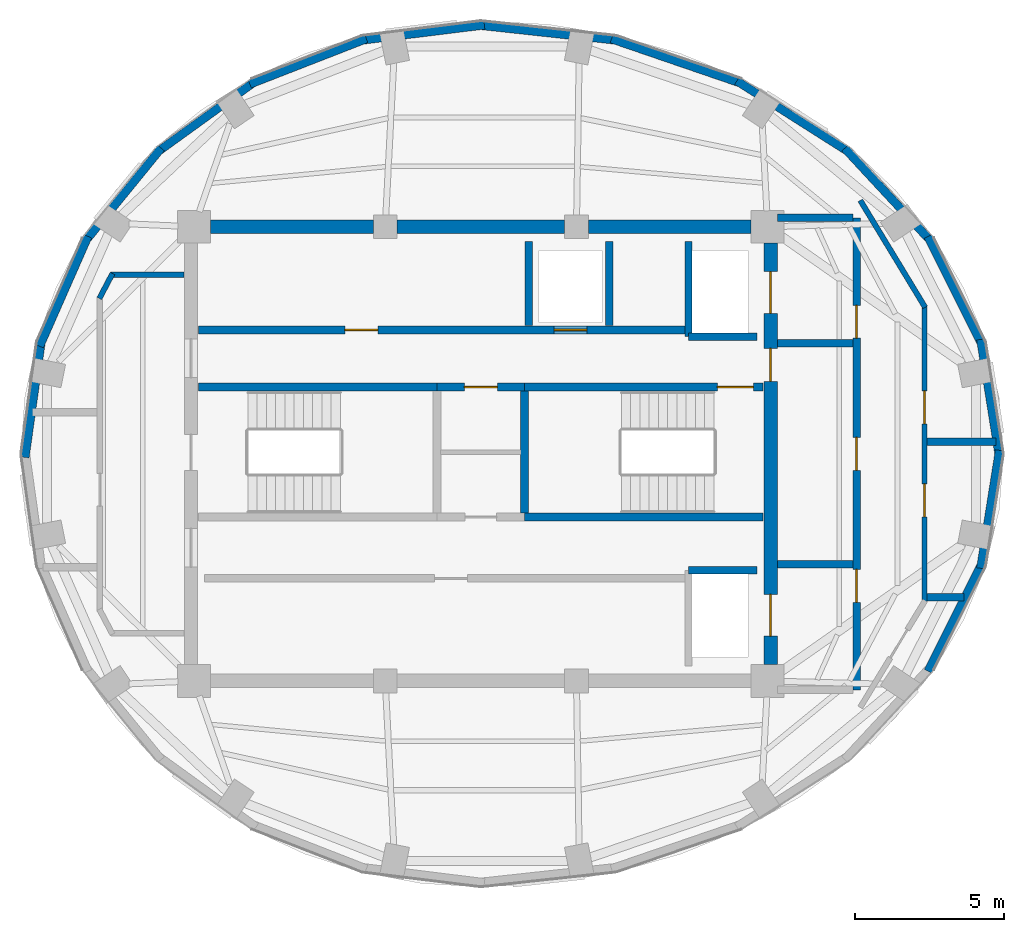
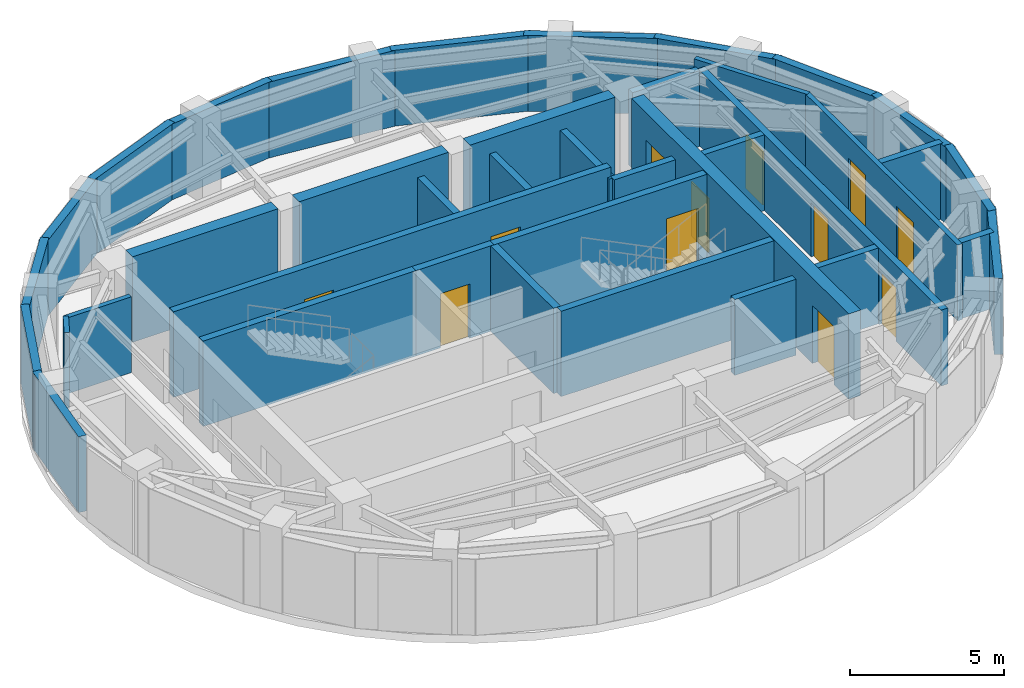
# One storey, part 3 of 5: 39 walls, 12 doors, 12 openings.
"""IFC4 building model written with IfcOpenShell, lengths in metres."""

from ifc_helpers import new_model, si_unit, direction, frame, frame_2d, origin, place, context, subcontext, project, spatial, rectangle, extrude, material, layer, layer_set, type_object, element, fill, save


model = new_model("IFC4")

# Units and contexts
model_context = context("Model", 3, precision=1e-05, world=origin(), true_north=direction((0.0, 1.0)))
body_context = subcontext(model_context, "Body", "Model", "MODEL_VIEW")
ifc_project = project(units=[si_unit("LENGTHUNIT", "METRE"), si_unit("AREAUNIT", "SQUARE_METRE"), si_unit("VOLUMEUNIT", "CUBIC_METRE"), si_unit("PLANEANGLEUNIT", "RADIAN"), si_unit("MASSUNIT", "GRAM", prefix="KILO")], contexts=[model_context])

# Site, building, storey
site_placement = place(None, origin())
site = spatial("IfcSite", under=ifc_project, at=site_placement, CompositionType="ELEMENT")
building_placement = place(site_placement, origin())
building = spatial("IfcBuilding", under=site, at=building_placement, Name="Lazwardi Medical Tower", CompositionType="ELEMENT")
storey_placement = place(building_placement, frame((0.0, 0.0, 312.612060546875)))
storey = spatial("IfcBuildingStorey", under=building, at=storey_placement, Name="L82", CompositionType="ELEMENT", Elevation=312.612060546875)

# Wall
ifc_material_1 = material(Name="Fire-rated gypsum board on steel stud", Category="steel")
ifc_layer_1 = layer(ifc_material_1, 0.179931640625)
ifc_layer_set_1 = layer_set([ifc_layer_1], Name="Fire-rated gypsum board on steel stud")
wall_type_1 = type_object("IfcWallType", Name="WL-COR-180", PredefinedType="PARTITIONING", material=ifc_layer_set_1)
wall_1_placement = place(storey_placement, frame((48.69921875, 36.484619140625, 0.0), z_axis=(0.0, 0.0, 1.0), x_axis=(0.518614420457, -0.855008235571, 0.0)))
element("IfcWall", 1, at=wall_1_placement, inside=storey, type_object=wall_type_1, Name="L82 Corridor partition 1", PredefinedType="PARTITIONING", context=body_context, shape_type="SweptSolid", body=[
    extrude(rectangle(XDim=4.18701171875, YDim=0.179931640625, at=frame_2d((2.093505859375, 0.0))), origin(), (0.0, 0.0, 1.0), 3.008056640625),
])

# Wall, openings, doors
wall_2_placement = place(storey_placement, frame((50.85009765625, 32.97900390625, 0.0), z_axis=(0.0, 0.0, 1.0), x_axis=(0.0, -1.0, 0.0)))
wall_2 = element("IfcWall", 2, at=wall_2_placement, inside=storey, type_object=wall_type_1, Name="L82 Corridor partition 2", PredefinedType="PARTITIONING", context=body_context, shape_type="SweptSolid", body=[
    extrude(rectangle(XDim=9.9580078125, YDim=0.179931640625, at=frame_2d((4.97900390625, 0.0))), origin(), (0.0, 0.0, 1.0), 3.008056640625),
])
opening_1_placement = place(wall_2_placement, frame((5.984619140625, 0.0, 0.0)))
opening_1 = element("IfcOpeningElement", 3, at=opening_1_placement, cuts=wall_2, Name="Opening D-L82-013", PredefinedType="OPENING", context=body_context, shape_type="SweptSolid", body=[
    extrude(rectangle(XDim=1.10009765625, YDim=2.14990234375, at=frame_2d((0.550048828125, 1.074951171875))), frame((0.0, 0.099853515625, 0.0), z_axis=(0.0, -1.0, 0.0), x_axis=(1.0, 0.0, 0.0)), (0.0, 0.0, 1.0), 0.199951171875),
])
opening_2_placement = place(wall_2_placement, frame((2.87353515625, 0.0, 0.0)))
opening_2 = element("IfcOpeningElement", 4, at=opening_2_placement, cuts=wall_2, Name="Opening D-L82-014", PredefinedType="OPENING", context=body_context, shape_type="SweptSolid", body=[
    extrude(rectangle(XDim=1.10009765625, YDim=2.14990234375, at=frame_2d((0.550048828125, 1.074951171875))), frame((0.0, 0.099853515625, 0.0), z_axis=(0.0, -1.0, 0.0), x_axis=(1.0, 0.0, 0.0)), (0.0, 0.0, 1.0), 0.199951171875),
])
ifc_material_2 = material(Name="Fire-rated steel leaf and frame", Category="steel")
door_type_1 = type_object("IfcDoorType", Name="DR-PLT-1100", OperationType="NOTDEFINED", PredefinedType="DOOR", material=ifc_material_2)
door_1_placement = place(opening_1_placement, origin())
door_1 = element("IfcDoor", 5, at=door_1_placement, inside=storey, type_object=door_type_1, Name="L82 Pump Room Door 03", OperationType="SINGLE_SWING_RIGHT", OverallHeight=2.14990234375, OverallWidth=1.10009765625, PredefinedType="DOOR", context=body_context, shape_type="SweptSolid", body=[
    extrude(rectangle(XDim=1.10009765625, YDim=2.14990234375, at=frame_2d((0.550048828125, 1.074951171875))), frame((0.0, 0.02490234375, 0.0), z_axis=(0.0, -1.0, 0.0), x_axis=(1.0, 0.0, 0.0)), (0.0, 0.0, 1.0), 0.050048828125),
])
fill(opening_1, door_1)
door_2_placement = place(opening_2_placement, origin())
door_2 = element("IfcDoor", 6, at=door_2_placement, inside=storey, type_object=door_type_1, Name="L82 Water Tank Room Door 04", OperationType="SINGLE_SWING_LEFT", OverallHeight=2.14990234375, OverallWidth=1.10009765625, PredefinedType="DOOR", context=body_context, shape_type="SweptSolid", body=[
    extrude(rectangle(XDim=1.10009765625, YDim=2.14990234375, at=frame_2d((0.550048828125, 1.074951171875))), frame((0.0, 0.02490234375, 0.0), z_axis=(0.0, -1.0, 0.0), x_axis=(1.0, 0.0, 0.0)), (0.0, 0.0, 1.0), 0.050048828125),
])
fill(opening_2, door_2)

# Walls
wall_3_placement = place(storey_placement, frame((23.231201171875, 33.19921875, 0.0), z_axis=(0.0, 0.0, 1.0), x_axis=(0.466427533163, 0.884559413667, 0.0)))
element("IfcWall", 7, at=wall_3_placement, inside=storey, type_object=wall_type_1, Name="L82 Corridor partition 7", PredefinedType="PARTITIONING", context=body_context, shape_type="SweptSolid", body=[
    extrude(rectangle(XDim=0.9453125, YDim=0.179931640625, at=frame_2d((0.47265625, 0.0))), origin(), (0.0, 0.0, 1.0), 3.008056640625),
])
wall_4_placement = place(storey_placement, frame((23.613525390625, 34.0, 0.0), z_axis=(0.0, 0.0, 1.0), x_axis=(1.0, 0.0, 0.0)))
element("IfcWall", 8, at=wall_4_placement, inside=storey, type_object=wall_type_1, Name="L82 Corridor partition 8", PredefinedType="PARTITIONING", context=body_context, shape_type="SweptSolid", body=[
    extrude(rectangle(XDim=2.446533203125, YDim=0.179931640625, at=frame_2d((1.22314453125, 0.0))), origin(), (0.0, 0.0, 1.0), 3.008056640625),
])

# Wall, openings, doors
ifc_material_3 = material(Name="Concrete C60/75", Category="concrete")
ifc_layer_2 = layer(ifc_material_3, 0.449951171875)
ifc_layer_set_2 = layer_set([ifc_layer_2], Name="Concrete C60/75")
wall_type_2 = type_object("IfcWallType", Name="WL-CORE-450", PredefinedType="SHEAR", material=ifc_layer_set_2)
wall_5_placement = place(storey_placement, frame((45.699951171875, 20.949951171875, 0.0), z_axis=(0.0, 0.0, 1.0), x_axis=(0.0, 1.0, 0.0)))
wall_5 = element("IfcWall", 9, at=wall_5_placement, inside=storey, type_object=wall_type_2, Name="Core wall CW-S4 east L82", PredefinedType="SHEAR", context=body_context, shape_type="SweptSolid", body=[
    extrude(rectangle(XDim=14.10009765625, YDim=0.449951171875, at=frame_2d((7.050048828125, 0.0))), origin(), (0.0, 0.0, 1.0), 3.387939453125),
])
opening_3_placement = place(wall_5_placement, frame((11.75, 0.0, 0.0)))
opening_3 = element("IfcOpeningElement", 10, at=opening_3_placement, cuts=wall_5, Name="Opening LD-L82-001", PredefinedType="OPENING", context=body_context, shape_type="SweptSolid", body=[
    extrude(rectangle(XDim=1.39990234375, YDim=2.300048828125, at=frame_2d((0.699951171875, 1.14990234375))), frame((0.0, 0.23486328125, 0.0), z_axis=(0.0, -1.0, 0.0), x_axis=(1.0, 0.0, 0.0)), (0.0, 0.0, 1.0), 0.469970703125),
])
opening_4_placement = place(wall_5_placement, frame((0.949951171875, 0.0, 0.0)))
opening_4 = element("IfcOpeningElement", 11, at=opening_4_placement, cuts=wall_5, Name="Opening LD-L82-002", PredefinedType="OPENING", context=body_context, shape_type="SweptSolid", body=[
    extrude(rectangle(XDim=1.39990234375, YDim=2.300048828125, at=frame_2d((0.699951171875, 1.14990234375))), frame((0.0, 0.23486328125, 0.0), z_axis=(0.0, -1.0, 0.0), x_axis=(1.0, 0.0, 0.0)), (0.0, 0.0, 1.0), 0.469970703125),
])
opening_5_placement = place(wall_5_placement, frame((9.47998046875, 0.0, 0.0)))
opening_5 = element("IfcOpeningElement", 12, at=opening_5_placement, cuts=wall_5, Name="Opening D-L82-006", PredefinedType="OPENING", context=body_context, shape_type="SweptSolid", body=[
    extrude(rectangle(XDim=1.10009765625, YDim=2.14990234375, at=frame_2d((0.550048828125, 1.074951171875))), frame((0.0, 0.23486328125, 0.0), z_axis=(0.0, -1.0, 0.0), x_axis=(1.0, 0.0, 0.0)), (0.0, 0.0, 1.0), 0.469970703125),
])
ifc_material_4 = material(Name="Brushed stainless steel bed-lift landing door", Category="steel")
door_type_2 = type_object("IfcDoorType", Name="DR-LFT-1400", OperationType="NOTDEFINED", PredefinedType="DOOR", material=ifc_material_4)
door_3_placement = place(opening_3_placement, origin())
door_3 = element("IfcDoor", 13, at=door_3_placement, inside=storey, type_object=door_type_2, Name="L82 Lift Landing Door FL-01", OperationType="SLIDING_TO_LEFT", OverallHeight=2.300048828125, OverallWidth=1.39990234375, PredefinedType="DOOR", context=body_context, shape_type="SweptSolid", body=[
    extrude(rectangle(XDim=1.39990234375, YDim=2.300048828125, at=frame_2d((0.699951171875, 1.14990234375))), frame((0.0, 0.02490234375, 0.0), z_axis=(0.0, -1.0, 0.0), x_axis=(1.0, 0.0, 0.0)), (0.0, 0.0, 1.0), 0.050048828125),
])
fill(opening_3, door_3)
door_4_placement = place(opening_4_placement, origin())
door_4 = element("IfcDoor", 14, at=door_4_placement, inside=storey, type_object=door_type_2, Name="L82 Lift Landing Door FL-02", OperationType="SLIDING_TO_LEFT", OverallHeight=2.300048828125, OverallWidth=1.39990234375, PredefinedType="DOOR", context=body_context, shape_type="SweptSolid", body=[
    extrude(rectangle(XDim=1.39990234375, YDim=2.300048828125, at=frame_2d((0.699951171875, 1.14990234375))), frame((0.0, 0.02490234375, 0.0), z_axis=(0.0, -1.0, 0.0), x_axis=(1.0, 0.0, 0.0)), (0.0, 0.0, 1.0), 0.050048828125),
])
fill(opening_4, door_4)
door_5_placement = place(opening_5_placement, origin())
door_5 = element("IfcDoor", 15, at=door_5_placement, inside=storey, type_object=door_type_1, Name="L82 Core Plant Lobby Transfer Door", OperationType="SINGLE_SWING_RIGHT", OverallHeight=2.14990234375, OverallWidth=1.10009765625, PredefinedType="DOOR", context=body_context, shape_type="SweptSolid", body=[
    extrude(rectangle(XDim=1.10009765625, YDim=2.14990234375, at=frame_2d((0.550048828125, 1.074951171875))), frame((0.0, 0.02490234375, 0.0), z_axis=(0.0, -1.0, 0.0), x_axis=(1.0, 0.0, 0.0)), (0.0, 0.0, 1.0), 0.050048828125),
])
fill(opening_5, door_5)

# Walls
wall_6_placement = place(storey_placement, frame((26.949951171875, 35.60009765625, 0.0), z_axis=(0.0, 0.0, 1.0), x_axis=(1.0, 0.0, 0.0)))
element("IfcWall", 16, at=wall_6_placement, inside=storey, type_object=wall_type_2, Name="Core wall CW-S4 N1 L82", PredefinedType="SHEAR", context=body_context, shape_type="SweptSolid", body=[
    extrude(rectangle(XDim=5.449951171875, YDim=0.449951171875, at=frame_2d((2.72509765625, 0.0))), origin(), (0.0, 0.0, 1.0), 3.387939453125),
])
wall_7_placement = place(storey_placement, frame((33.199951171875, 35.60009765625, 0.0), z_axis=(0.0, 0.0, 1.0), x_axis=(1.0, 0.0, 0.0)))
element("IfcWall", 17, at=wall_7_placement, inside=storey, type_object=wall_type_2, Name="Core wall CW-S4 N2 L82", PredefinedType="SHEAR", context=body_context, shape_type="SweptSolid", body=[
    extrude(rectangle(XDim=5.60009765625, YDim=0.449951171875, at=frame_2d((2.800048828125, 0.0))), origin(), (0.0, 0.0, 1.0), 3.387939453125),
])
wall_8_placement = place(storey_placement, frame((39.60009765625, 35.60009765625, 0.0), z_axis=(0.0, 0.0, 1.0), x_axis=(1.0, 0.0, 0.0)))
element("IfcWall", 18, at=wall_8_placement, inside=storey, type_object=wall_type_2, Name="Core wall CW-S4 N3 L82", PredefinedType="SHEAR", context=body_context, shape_type="SweptSolid", body=[
    extrude(rectangle(XDim=5.449951171875, YDim=0.449951171875, at=frame_2d((2.72509765625, 0.0))), origin(), (0.0, 0.0, 1.0), 3.387939453125),
])
ifc_material_5 = material(Name="Precast concrete C45/55", Category="concrete")
ifc_layer_3 = layer(ifc_material_5, 0.280029296875)
ifc_layer_set_3 = layer_set([ifc_layer_3], Name="Precast concrete C45/55")
wall_type_3 = type_object("IfcWallType", Name="WL-DRUM-280", PredefinedType="SOLIDWALL", material=ifc_layer_set_3)
wall_9_placement = place(storey_placement, frame((50.963134765625, 20.72265625, 0.0), z_axis=(0.0, 0.0, 1.0), x_axis=(0.447855311217, 0.894106045285, 0.0)))
element("IfcWall", 19, at=wall_9_placement, inside=storey, type_object=wall_type_3, Name="L82 Crown Plant Drum Wall 05", PredefinedType="SOLIDWALL", context=body_context, shape_type="SweptSolid", body=[
    extrude(rectangle(XDim=4.108154296875, YDim=0.280029296875, at=frame_2d((2.05419921875, 0.0))), origin(), (0.0, 0.0, 1.0), 3.008056640625),
])
for number, where, z_axis, x_axis, name in (
    (20, (52.730224609375, 24.169921875, 0.0), (0.0, 0.0, 1.0), (0.157235511094, 0.987561134336, 0.0), "L82 Crown Plant Drum Wall 06"),
    (21, (53.35888671875, 27.881591796875, 0.0), (0.0, 0.0, 1.0), (-0.157235511094, 0.987561134336, 0.0), "L82 Crown Plant Drum Wall 07"),
):
    element("IfcWall", number, at=place(storey_placement, frame(where, z_axis=z_axis, x_axis=x_axis)), inside=storey, type_object=wall_type_3, Name=name, PredefinedType="SOLIDWALL", context=body_context, shape_type="SweptSolid", body=[
        extrude(rectangle(XDim=3.998291015625, YDim=0.280029296875, at=frame_2d((1.9990234375, 0.0))), origin(), (0.0, 0.0, 1.0), 3.008056640625),
    ])
wall_10_placement = place(storey_placement, frame((52.802978515625, 31.604248046875, 0.0), z_axis=(0.0, 0.0, 1.0), x_axis=(-0.447855311217, 0.894106045285, 0.0)))
element("IfcWall", 22, at=wall_10_placement, inside=storey, type_object=wall_type_3, Name="L82 Crown Plant Drum Wall 08", PredefinedType="SOLIDWALL", context=body_context, shape_type="SweptSolid", body=[
    extrude(rectangle(XDim=4.108154296875, YDim=0.280029296875, at=frame_2d((2.05419921875, 0.0))), origin(), (0.0, 0.0, 1.0), 3.008056640625),
])
wall_11_placement = place(storey_placement, frame((51.098388671875, 35.08203125, 0.0), z_axis=(0.0, 0.0, 1.0), x_axis=(-0.680156447476, 0.733066986678, 0.0)))
element("IfcWall", 23, at=wall_11_placement, inside=storey, type_object=wall_type_3, Name="L82 Crown Plant Drum Wall 09", PredefinedType="SOLIDWALL", context=body_context, shape_type="SweptSolid", body=[
    extrude(rectangle(XDim=4.291259765625, YDim=0.280029296875, at=frame_2d((2.1455078125, 0.0))), origin(), (0.0, 0.0, 1.0), 3.008056640625),
])
wall_12_placement = place(storey_placement, frame((48.362548828125, 38.07568359375, 0.0), z_axis=(0.0, 0.0, 1.0), x_axis=(-0.84435210997, 0.535788684454, 0.0)))
element("IfcWall", 24, at=wall_12_placement, inside=storey, type_object=wall_type_3, Name="L82 Crown Plant Drum Wall 10", PredefinedType="SOLIDWALL", context=body_context, shape_type="SweptSolid", body=[
    extrude(rectangle(XDim=4.493408203125, YDim=0.280029296875, at=frame_2d((2.24658203125, 0.0))), origin(), (0.0, 0.0, 1.0), 3.008056640625),
])
wall_13_placement = place(storey_placement, frame((44.783447265625, 40.3798828125, 0.0), z_axis=(0.0, 0.0, 1.0), x_axis=(-0.946020767408, 0.324106012955, 0.0)))
element("IfcWall", 25, at=wall_13_placement, inside=storey, type_object=wall_type_3, Name="L82 Crown Plant Drum Wall 11", PredefinedType="SOLIDWALL", context=body_context, shape_type="SweptSolid", body=[
    extrude(rectangle(XDim=4.660400390625, YDim=0.280029296875, at=frame_2d((2.330078125, 0.0))), origin(), (0.0, 0.0, 1.0), 3.008056640625),
])
wall_14_placement = place(storey_placement, frame((40.607177734375, 41.83837890625, 0.0), z_axis=(0.0, 0.0, 1.0), x_axis=(-0.994124299368, 0.108244525985, 0.0)))
element("IfcWall", 26, at=wall_14_placement, inside=storey, type_object=wall_type_3, Name="L82 Crown Plant Drum Wall 12", PredefinedType="SOLIDWALL", context=body_context, shape_type="SweptSolid", body=[
    extrude(rectangle(XDim=4.75439453125, YDim=0.280029296875, at=frame_2d((2.377197265625, 0.0))), origin(), (0.0, 0.0, 1.0), 3.008056640625),
])
wall_15_placement = place(storey_placement, frame((36.119140625, 42.354736328125, 0.0), z_axis=(0.0, 0.0, 1.0), x_axis=(-0.992416279723, -0.122922446041, 0.0)))
element("IfcWall", 27, at=wall_15_placement, inside=storey, type_object=wall_type_3, Name="L82 Crown Plant Drum Wall 13", PredefinedType="SOLIDWALL", context=body_context, shape_type="SweptSolid", body=[
    extrude(rectangle(XDim=4.214599609375, YDim=0.280029296875, at=frame_2d((2.107421875, 0.0))), origin(), (0.0, 0.0, 1.0), 3.008056640625),
])
wall_16_placement = place(storey_placement, frame((32.16748046875, 41.89501953125, 0.0), z_axis=(0.0, 0.0, 1.0), x_axis=(-0.931727407844, -0.363158419249, 0.0)))
element("IfcWall", 28, at=wall_16_placement, inside=storey, type_object=wall_type_3, Name="L82 Crown Plant Drum Wall 14", PredefinedType="SOLIDWALL", context=body_context, shape_type="SweptSolid", body=[
    extrude(rectangle(XDim=4.184814453125, YDim=0.280029296875, at=frame_2d((2.09228515625, 0.0))), origin(), (0.0, 0.0, 1.0), 3.008056640625),
])
wall_17_placement = place(storey_placement, frame((28.477294921875, 40.489013671875, 0.0), z_axis=(0.0, 0.0, 1.0), x_axis=(-0.810749316968, -0.585393495895, 0.0)))
element("IfcWall", 29, at=wall_17_placement, inside=storey, type_object=wall_type_3, Name="L82 Crown Plant Drum Wall 15", PredefinedType="SOLIDWALL", context=body_context, shape_type="SweptSolid", body=[
    extrude(rectangle(XDim=4.133056640625, YDim=0.280029296875, at=frame_2d((2.06640625, 0.0))), origin(), (0.0, 0.0, 1.0), 3.008056640625),
])
wall_18_placement = place(storey_placement, frame((25.299560546875, 38.23291015625, 0.0), z_axis=(0.0, 0.0, 1.0), x_axis=(-0.631957150792, -0.775003328743, 0.0)))
element("IfcWall", 30, at=wall_18_placement, inside=storey, type_object=wall_type_3, Name="L82 Crown Plant Drum Wall 16", PredefinedType="SOLIDWALL", context=body_context, shape_type="SweptSolid", body=[
    extrude(rectangle(XDim=4.072265625, YDim=0.280029296875, at=frame_2d((2.0361328125, 0.0))), origin(), (0.0, 0.0, 1.0), 3.008056640625),
])
wall_19_placement = place(storey_placement, frame((22.85009765625, 35.27978515625, 0.0), z_axis=(0.0, 0.0, 1.0), x_axis=(-0.402911662576, -0.915238871639, 0.0)))
element("IfcWall", 31, at=wall_19_placement, inside=storey, type_object=wall_type_3, Name="L82 Crown Plant Drum Wall 17", PredefinedType="SOLIDWALL", context=body_context, shape_type="SweptSolid", body=[
    extrude(rectangle(XDim=4.0185546875, YDim=0.280029296875, at=frame_2d((2.00927734375, 0.0))), origin(), (0.0, 0.0, 1.0), 3.008056640625),
])
wall_20_placement = place(storey_placement, frame((21.2958984375, 31.830322265625, 0.0), z_axis=(0.0, 0.0, 1.0), x_axis=(-0.13854936703, -0.990355528533, 0.0)))
element("IfcWall", 32, at=wall_20_placement, inside=storey, type_object=wall_type_3, Name="L82 Crown Plant Drum Wall 18", PredefinedType="SOLIDWALL", context=body_context, shape_type="SweptSolid", body=[
    extrude(rectangle(XDim=3.98779296875, YDim=0.280029296875, at=frame_2d((1.993896484375, 0.0))), origin(), (0.0, 0.0, 1.0), 3.008056640625),
])
ifc_material_6 = material(Name="Autoclaved aerated concrete blockwork", Category="masonry")
ifc_layer_4 = layer(ifc_material_6, 0.25)
ifc_layer_set_4 = layer_set([ifc_layer_4], Name="Autoclaved aerated concrete blockwork")
wall_type_4 = type_object("IfcWallType", Name="WL-SHAFT-250", PredefinedType="SOLIDWALL", material=ifc_layer_set_4)
wall_21_placement = place(storey_placement, frame((42.949951171875, 31.919921875, 0.0), z_axis=(0.0, 0.0, 1.0), x_axis=(0.0, 1.0, 0.0)))
element("IfcWall", 33, at=wall_21_placement, inside=storey, type_object=wall_type_4, Name="L82 FL-01 West shaft wall", PredefinedType="SOLIDWALL", context=body_context, shape_type="SweptSolid", body=[
    extrude(rectangle(XDim=3.18017578125, YDim=0.25, at=frame_2d((1.590087890625, 0.0))), origin(), (0.0, 0.0, 1.0), 3.008056640625),
])
for number, where, z_axis, x_axis, name in (
    (34, (42.949951171875, 31.919921875, 0.0), (0.0, 0.0, 1.0), (1.0, 0.0, 0.0), "L82 FL-01 South shaft wall"),
    (35, (42.949951171875, 24.10009765625, 0.0), (0.0, 0.0, 1.0), (1.0, 0.0, 0.0), "L82 FL-02 North shaft wall"),
):
    element("IfcWall", number, at=place(storey_placement, frame(where, z_axis=z_axis, x_axis=x_axis)), inside=storey, type_object=wall_type_4, Name=name, PredefinedType="SOLIDWALL", context=body_context, shape_type="SweptSolid", body=[
        extrude(rectangle(XDim=2.300048828125, YDim=0.25, at=frame_2d((1.14990234375, 0.0))), origin(), (0.0, 0.0, 1.0), 3.008056640625),
    ])
for number, where, z_axis, x_axis, name in (
    (36, (37.60009765625, 32.300048828125, 0.0), (0.0, 0.0, 1.0), (0.0, 1.0, 0.0), "L82 PL-09 West hoistway divider"),
    (37, (40.300048828125, 32.300048828125, 0.0), (0.0, 0.0, 1.0), (0.0, 1.0, 0.0), "L82 PL-09 East hoistway divider"),
):
    element("IfcWall", number, at=place(storey_placement, frame(where, z_axis=z_axis, x_axis=x_axis)), inside=storey, type_object=wall_type_4, Name=name, PredefinedType="SOLIDWALL", context=body_context, shape_type="SweptSolid", body=[
        extrude(rectangle(XDim=2.800048828125, YDim=0.25, at=frame_2d((1.39990234375, 0.0))), origin(), (0.0, 0.0, 1.0), 3.008056640625),
    ])

# Wall, openings, doors
wall_22_placement = place(storey_placement, frame((48.580078125, 20.10009765625, 0.0), z_axis=(0.0, 0.0, 1.0), x_axis=(0.0, 1.0, 0.0)))
wall_22 = element("IfcWall", 38, at=wall_22_placement, inside=storey, type_object=wall_type_4, Name="L82 Crown FFL East wall", PredefinedType="SOLIDWALL", context=body_context, shape_type="SweptSolid", body=[
    extrude(rectangle(XDim=15.7998046875, YDim=0.25, at=frame_2d((7.89990234375, 0.0))), origin(), (0.0, 0.0, 1.0), 3.008056640625),
])
opening_6_placement = place(wall_22_placement, frame((11.77001953125, 0.0, 0.0)))
opening_6 = element("IfcOpeningElement", 39, at=opening_6_placement, cuts=wall_22, Name="Opening D-L82-004", PredefinedType="OPENING", context=body_context, shape_type="SweptSolid", body=[
    extrude(rectangle(XDim=1.10009765625, YDim=2.1201171875, at=frame_2d((0.550048828125, 1.06005859375))), frame((0.0, 0.135009765625, 0.0), z_axis=(0.0, -1.0, 0.0), x_axis=(1.0, 0.0, 0.0)), (0.0, 0.0, 1.0), 0.27001953125),
])
opening_7_placement = place(wall_22_placement, frame((7.35009765625, 0.0, 0.0)))
opening_7 = element("IfcOpeningElement", 40, at=opening_7_placement, cuts=wall_22, Name="Opening D-L82-003", PredefinedType="OPENING", context=body_context, shape_type="SweptSolid", body=[
    extrude(rectangle(XDim=1.10009765625, YDim=2.14990234375, at=frame_2d((0.550048828125, 1.074951171875))), frame((0.0, 0.135009765625, 0.0), z_axis=(0.0, -1.0, 0.0), x_axis=(1.0, 0.0, 0.0)), (0.0, 0.0, 1.0), 0.27001953125),
])
opening_8_placement = place(wall_22_placement, frame((2.929931640625, 0.0, 0.0)))
opening_8 = element("IfcOpeningElement", 41, at=opening_8_placement, cuts=wall_22, Name="Opening D-L82-005", PredefinedType="OPENING", context=body_context, shape_type="SweptSolid", body=[
    extrude(rectangle(XDim=1.10009765625, YDim=2.1201171875, at=frame_2d((0.550048828125, 1.06005859375))), frame((0.0, 0.135009765625, 0.0), z_axis=(0.0, -1.0, 0.0), x_axis=(1.0, 0.0, 0.0)), (0.0, 0.0, 1.0), 0.27001953125),
])
door_6_placement = place(opening_6_placement, origin())
door_6 = element("IfcDoor", 42, at=door_6_placement, inside=storey, type_object=door_type_1, Name="L82 FFL North Door", OperationType="SINGLE_SWING_LEFT", OverallHeight=2.1201171875, OverallWidth=1.10009765625, PredefinedType="DOOR", context=body_context, shape_type="SweptSolid", body=[
    extrude(rectangle(XDim=1.10009765625, YDim=2.1201171875, at=frame_2d((0.550048828125, 1.06005859375))), frame((0.0, 0.02490234375, 0.0), z_axis=(0.0, -1.0, 0.0), x_axis=(1.0, 0.0, 0.0)), (0.0, 0.0, 1.0), 0.050048828125),
])
fill(opening_6, door_6)
door_7_placement = place(opening_7_placement, origin())
door_7 = element("IfcDoor", 43, at=door_7_placement, inside=storey, type_object=door_type_1, Name="L82 Plant Lobby Door", OperationType="SINGLE_SWING_RIGHT", OverallHeight=2.14990234375, OverallWidth=1.10009765625, PredefinedType="DOOR", context=body_context, shape_type="SweptSolid", body=[
    extrude(rectangle(XDim=1.10009765625, YDim=2.14990234375, at=frame_2d((0.550048828125, 1.074951171875))), frame((0.0, 0.02490234375, 0.0), z_axis=(0.0, -1.0, 0.0), x_axis=(1.0, 0.0, 0.0)), (0.0, 0.0, 1.0), 0.050048828125),
])
fill(opening_7, door_7)
door_8_placement = place(opening_8_placement, origin())
door_8 = element("IfcDoor", 44, at=door_8_placement, inside=storey, type_object=door_type_1, Name="L82 FFL South Door", OperationType="SINGLE_SWING_LEFT", OverallHeight=2.1201171875, OverallWidth=1.10009765625, PredefinedType="DOOR", context=body_context, shape_type="SweptSolid", body=[
    extrude(rectangle(XDim=1.10009765625, YDim=2.1201171875, at=frame_2d((0.550048828125, 1.06005859375))), frame((0.0, 0.02490234375, 0.0), z_axis=(0.0, -1.0, 0.0), x_axis=(1.0, 0.0, 0.0)), (0.0, 0.0, 1.0), 0.050048828125),
])
fill(opening_8, door_8)

# Walls
for number, where, z_axis, x_axis, name in (
    (45, (45.929931640625, 35.89990234375, 0.0), (0.0, 0.0, 1.0), (1.0, 0.0, 0.0), "L82 Crown FFL-N North wall"),
    (46, (45.929931640625, 31.699951171875, 0.0), (0.0, 0.0, 1.0), (1.0, 0.0, 0.0), "L82 Crown FFL-N South wall"),
    (47, (45.929931640625, 24.300048828125, 0.0), (0.0, 0.0, 1.0), (1.0, 0.0, 0.0), "L82 Crown FFL-S North wall"),
):
    element("IfcWall", number, at=place(storey_placement, frame(where, z_axis=z_axis, x_axis=x_axis)), inside=storey, type_object=wall_type_4, Name=name, PredefinedType="SOLIDWALL", context=body_context, shape_type="SweptSolid", body=[
        extrude(rectangle(XDim=2.52001953125, YDim=0.25, at=frame_2d((1.260009765625, 0.0))), origin(), (0.0, 0.0, 1.0), 3.008056640625),
    ])
wall_23_placement = place(storey_placement, frame((50.93994140625, 23.199951171875, 0.0), z_axis=(0.0, 0.0, 1.0), x_axis=(1.0, 0.0, 0.0)))
element("IfcWall", 48, at=wall_23_placement, inside=storey, type_object=wall_type_4, Name="L82 Room partition 3", PredefinedType="SOLIDWALL", context=body_context, shape_type="SweptSolid", body=[
    extrude(rectangle(XDim=1.22900390625, YDim=0.25, at=frame_2d((0.614501953125, 0.0))), origin(), (0.0, 0.0, 1.0), 3.008056640625),
])
wall_24_placement = place(storey_placement, frame((50.93994140625, 28.39990234375, 0.0), z_axis=(0.0, 0.0, 1.0), x_axis=(1.0, 0.0, 0.0)))
element("IfcWall", 49, at=wall_24_placement, inside=storey, type_object=wall_type_4, Name="L82 Room partition 4", PredefinedType="SOLIDWALL", context=body_context, shape_type="SweptSolid", body=[
    extrude(rectangle(XDim=2.30126953125, YDim=0.25, at=frame_2d((1.150634765625, 0.0))), origin(), (0.0, 0.0, 1.0), 3.008056640625),
])
ifc_material_7 = material(Name="Concrete C50/60", Category="concrete")
ifc_layer_5 = layer(ifc_material_7, 0.27001953125)
ifc_layer_set_5 = layer_set([ifc_layer_5], Name="Concrete C50/60")
wall_type_5 = type_object("IfcWallType", Name="WL-STR-250", PredefinedType="SHEAR", material=ifc_layer_set_5)
wall_25_placement = place(storey_placement, frame((26.550048828125, 30.235107421875, 0.0), z_axis=(0.0, 0.0, 1.0), x_axis=(1.0, 0.0, 0.0)))
element("IfcWall", 50, at=wall_25_placement, inside=storey, type_object=wall_type_5, Name="L82 ST1 North shear shaft wall SW-S1", PredefinedType="SHEAR", context=body_context, shape_type="SweptSolid", body=[
    extrude(rectangle(XDim=7.98486328125, YDim=0.27001953125, at=frame_2d((3.992431640625, 0.0))), origin(), (0.0, 0.0, 1.0), 3.387939453125),
])

# Wall, opening, door
wall_26_placement = place(storey_placement, frame((34.534912109375, 30.235107421875, 0.0), z_axis=(0.0, 0.0, 1.0), x_axis=(1.0, 0.0, 0.0)))
wall_26 = element("IfcWall", 51, at=wall_26_placement, inside=storey, type_object=wall_type_5, Name="L82 Core service North shear wall SW-S1", PredefinedType="SHEAR", context=body_context, shape_type="SweptSolid", body=[
    extrude(rectangle(XDim=2.93017578125, YDim=0.27001953125, at=frame_2d((1.465087890625, 0.0))), origin(), (0.0, 0.0, 1.0), 3.387939453125),
])
opening_9_placement = place(wall_26_placement, frame((0.9150390625, 0.0, 0.0)))
opening_9 = element("IfcOpeningElement", 52, at=opening_9_placement, cuts=wall_26, Name="Opening D-L82-002", PredefinedType="OPENING", context=body_context, shape_type="SweptSolid", body=[
    extrude(rectangle(XDim=1.10009765625, YDim=2.14990234375, at=frame_2d((0.550048828125, 1.074951171875))), frame((0.0, 0.14501953125, 0.0), z_axis=(0.0, -1.0, 0.0), x_axis=(1.0, 0.0, 0.0)), (0.0, 0.0, 1.0), 0.2900390625),
])
door_9_placement = place(opening_9_placement, origin())
door_9 = element("IfcDoor", 53, at=door_9_placement, inside=storey, type_object=door_type_1, Name="L82 Electrical Room Door", OperationType="SINGLE_SWING_LEFT", OverallHeight=2.14990234375, OverallWidth=1.10009765625, PredefinedType="DOOR", context=body_context, shape_type="SweptSolid", body=[
    extrude(rectangle(XDim=1.10009765625, YDim=2.14990234375, at=frame_2d((0.550048828125, 1.074951171875))), frame((0.0, 0.02490234375, 0.0), z_axis=(0.0, -1.0, 0.0), x_axis=(1.0, 0.0, 0.0)), (0.0, 0.0, 1.0), 0.050048828125),
])
fill(opening_9, door_9)

wall_27_placement = place(storey_placement, frame((37.465087890625, 30.235107421875, 0.0), z_axis=(0.0, 0.0, 1.0), x_axis=(1.0, 0.0, 0.0)))
wall_27 = element("IfcWall", 54, at=wall_27_placement, inside=storey, type_object=wall_type_5, Name="L82 ST2 North shear shaft wall SW-S1", PredefinedType="SHEAR", context=body_context, shape_type="SweptSolid", body=[
    extrude(rectangle(XDim=7.98486328125, YDim=0.27001953125, at=frame_2d((3.992431640625, 0.0))), origin(), (0.0, 0.0, 1.0), 3.387939453125),
])
opening_10_placement = place(wall_27_placement, frame((6.455078125, 0.0, 0.0)))
opening_10 = element("IfcOpeningElement", 55, at=opening_10_placement, cuts=wall_27, Name="Opening D-L82-016", PredefinedType="OPENING", context=body_context, shape_type="SweptSolid", body=[
    extrude(rectangle(XDim=1.199951171875, YDim=2.14990234375, at=frame_2d((0.60009765625, 1.074951171875))), frame((0.0, 0.14501953125, 0.0), z_axis=(0.0, -1.0, 0.0), x_axis=(1.0, 0.0, 0.0)), (0.0, 0.0, 1.0), 0.2900390625),
])
door_type_3 = type_object("IfcDoorType", Name="DR-STR-1200", OperationType="NOTDEFINED", PredefinedType="DOOR", material=ifc_material_2)
door_10_placement = place(opening_10_placement, origin())
door_10 = element("IfcDoor", 56, at=door_10_placement, inside=storey, type_object=door_type_3, Name="L82 Exit Stair ST2 Door", OperationType="SINGLE_SWING_LEFT", OverallHeight=2.14990234375, OverallWidth=1.199951171875, PredefinedType="DOOR", context=body_context, shape_type="SweptSolid", body=[
    extrude(rectangle(XDim=1.199951171875, YDim=2.14990234375, at=frame_2d((0.60009765625, 1.074951171875))), frame((0.0, 0.02490234375, 0.0), z_axis=(0.0, -1.0, 0.0), x_axis=(1.0, 0.0, 0.0)), (0.0, 0.0, 1.0), 0.050048828125),
])
fill(opening_10, door_10)

# Walls
wall_28_placement = place(storey_placement, frame((37.465087890625, 25.885009765625, 0.0), z_axis=(0.0, 0.0, 1.0), x_axis=(1.0, 0.0, 0.0)))
element("IfcWall", 57, at=wall_28_placement, inside=storey, type_object=wall_type_5, Name="L82 ST2 South shear shaft wall SW-S1", PredefinedType="SHEAR", context=body_context, shape_type="SweptSolid", body=[
    extrude(rectangle(XDim=7.98486328125, YDim=0.27001953125, at=frame_2d((3.992431640625, 0.0))), origin(), (0.0, 0.0, 1.0), 3.387939453125),
])
wall_29_placement = place(storey_placement, frame((37.465087890625, 26.02001953125, 0.0), z_axis=(0.0, 0.0, 1.0), x_axis=(0.0, 1.0, 0.0)))
element("IfcWall", 58, at=wall_29_placement, inside=storey, type_object=wall_type_5, Name="L82 ST2 West shear shaft wall SW-S1", PredefinedType="SHEAR", context=body_context, shape_type="SweptSolid", body=[
    extrude(rectangle(XDim=4.080078125, YDim=0.27001953125, at=frame_2d((2.0400390625, 0.0))), origin(), (0.0, 0.0, 1.0), 3.387939453125),
])

# Wall, openings, doors
wall_30_placement = place(storey_placement, frame((26.550048828125, 32.14990234375, 0.0), z_axis=(0.0, 0.0, 1.0), x_axis=(1.0, 0.0, 0.0)))
wall_30 = element("IfcWall", 59, at=wall_30_placement, inside=storey, type_object=wall_type_5, Name="L82 North lift bank shear wall SW-S1", PredefinedType="SHEAR", context=body_context, shape_type="SweptSolid", body=[
    extrude(rectangle(XDim=16.39990234375, YDim=0.27001953125, at=frame_2d((8.199951171875, 0.0))), origin(), (0.0, 0.0, 1.0), 3.387939453125),
])
opening_11_placement = place(wall_30_placement, frame((4.89990234375, 0.0, 0.0)))
opening_11 = element("IfcOpeningElement", 60, at=opening_11_placement, cuts=wall_30, Name="Opening D-L82-009", PredefinedType="OPENING", context=body_context, shape_type="SweptSolid", body=[
    extrude(rectangle(XDim=1.10009765625, YDim=2.14990234375, at=frame_2d((0.550048828125, 1.074951171875))), frame((0.0, 0.14501953125, 0.0), z_axis=(0.0, -1.0, 0.0), x_axis=(1.0, 0.0, 0.0)), (0.0, 0.0, 1.0), 0.2900390625),
])
opening_12_placement = place(wall_30_placement, frame((11.89990234375, 0.0, 0.0)))
opening_12 = element("IfcOpeningElement", 61, at=opening_12_placement, cuts=wall_30, Name="Opening LD-L82-003", PredefinedType="OPENING", context=body_context, shape_type="SweptSolid", body=[
    extrude(rectangle(XDim=1.10009765625, YDim=2.199951171875, at=frame_2d((0.550048828125, 1.10009765625))), frame((0.0, 0.14501953125, 0.0), z_axis=(0.0, -1.0, 0.0), x_axis=(1.0, 0.0, 0.0)), (0.0, 0.0, 1.0), 0.2900390625),
])
ifc_material_8 = material(Name="Brushed bronze stainless steel landing door", Category="steel")
door_type_4 = type_object("IfcDoorType", Name="DR-LFT-1100", OperationType="NOTDEFINED", PredefinedType="DOOR", material=ifc_material_8)
door_11_placement = place(opening_12_placement, origin())
door_11 = element("IfcDoor", 62, at=door_11_placement, inside=storey, type_object=door_type_4, Name="L82 Lift Landing Door PL-09", OperationType="SLIDING_TO_LEFT", OverallHeight=2.199951171875, OverallWidth=1.10009765625, PredefinedType="DOOR", context=body_context, shape_type="SweptSolid", body=[
    extrude(rectangle(XDim=1.10009765625, YDim=2.199951171875, at=frame_2d((0.550048828125, 1.10009765625))), frame((0.0, 0.02490234375, 0.0), z_axis=(0.0, -1.0, 0.0), x_axis=(1.0, 0.0, 0.0)), (0.0, 0.0, 1.0), 0.050048828125),
])
fill(opening_12, door_11)
door_12_placement = place(opening_11_placement, origin())
door_12 = element("IfcDoor", 63, at=door_12_placement, inside=storey, type_object=door_type_1, Name="L82 Lift Machine Room North Door", OperationType="SINGLE_SWING_RIGHT", OverallHeight=2.14990234375, OverallWidth=1.10009765625, PredefinedType="DOOR", context=body_context, shape_type="SweptSolid", body=[
    extrude(rectangle(XDim=1.10009765625, YDim=2.14990234375, at=frame_2d((0.550048828125, 1.074951171875))), frame((0.0, 0.02490234375, 0.0), z_axis=(0.0, -1.0, 0.0), x_axis=(1.0, 0.0, 0.0)), (0.0, 0.0, 1.0), 0.050048828125),
])
fill(opening_11, door_12)

save(model, "model.ifc")
